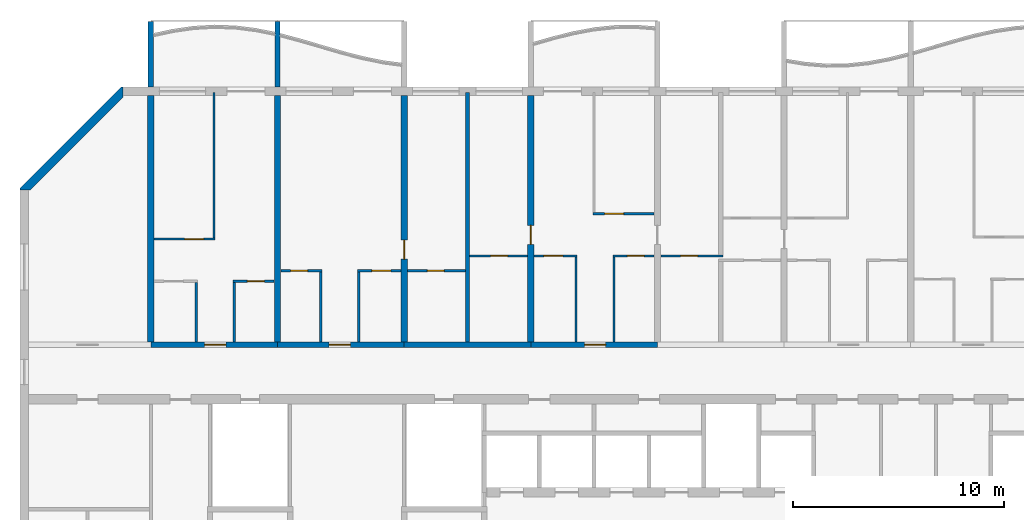
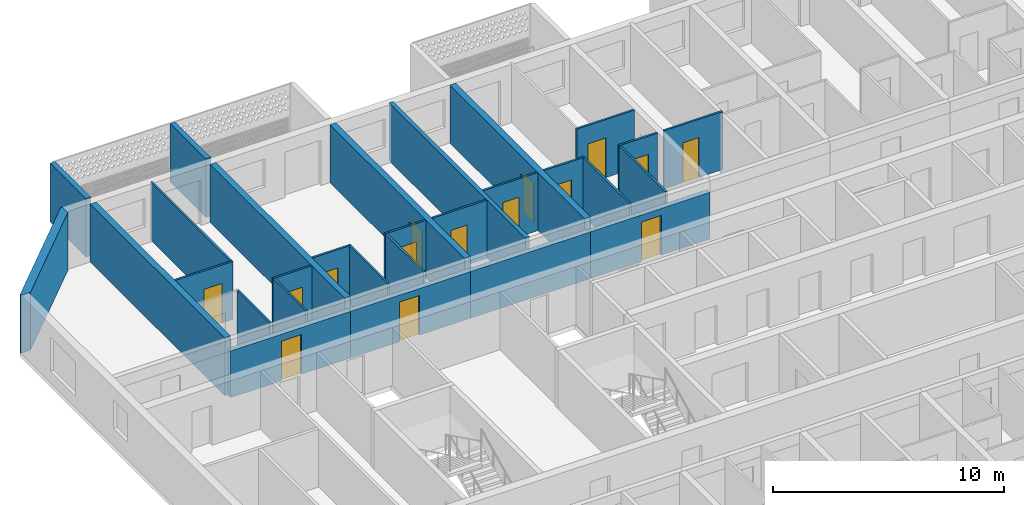
# One storey, part 8 of 31: 29 walls, 15 doors, 15 openings.
"""IFC4 building model written with IfcOpenShell, lengths in metres."""

from ifc_helpers import new_model, si_unit, direction, frame, frame_2d, origin, place, context, subcontext, project, spatial, polyline, rectangle, outline, extrude, source, transform, mapped, material, layer, layer_set, type_object, element, fill, save


model = new_model("IFC4")

# Units and contexts
model_context = context("Model", 3, precision=1e-05, world=origin(), true_north=direction((0.0, 1.0)))
body_context = subcontext(model_context, "Body", "Model", "MODEL_VIEW")
ifc_project = project(units=[si_unit("LENGTHUNIT", "METRE"), si_unit("AREAUNIT", "SQUARE_METRE"), si_unit("VOLUMEUNIT", "CUBIC_METRE"), si_unit("PLANEANGLEUNIT", "RADIAN"), si_unit("MASSUNIT", "GRAM", prefix="KILO")], contexts=[model_context])

# Site, building, storey
site_placement = place(None, origin())
site = spatial("IfcSite", under=ifc_project, at=site_placement, CompositionType="ELEMENT")
building_placement = place(site_placement, origin())
building = spatial("IfcBuilding", under=site, at=building_placement, Name="Poui Terraces", CompositionType="ELEMENT")
storey_placement = place(building_placement, frame((0.0, 0.0, 142.199951171875)))
storey = spatial("IfcBuildingStorey", under=building, at=storey_placement, Name="L39", CompositionType="ELEMENT", Elevation=142.199951171875)

# Wall, opening, door
ifc_material_1 = material(Name="Concrete 65 MPa", Category="concrete")
ifc_layer_1 = layer(ifc_material_1, 0.25)
ifc_layer_set_1 = layer_set([ifc_layer_1], Name="Concrete 65 MPa")
wall_type_1 = type_object("IfcWallType", Name="CORRIDOR WALL 250 65MPa", PredefinedType="SHEAR", material=ifc_layer_set_1)
wall_1_placement = place(storey_placement, frame((18.0, 30.39990234375, 0.0), z_axis=(0.0, 0.0, 1.0), x_axis=(1.0, 0.0, 0.0)))
wall_1 = element("IfcWall", 1, at=wall_1_placement, inside=storey, type_object=wall_type_1, Name="CORRIDOR WALL LINE E BAY 2", PredefinedType="SHEAR", context=body_context, shape_type="SweptSolid", body=[
    extrude(rectangle(XDim=6.0, YDim=0.25, at=frame_2d((3.0, 0.0))), origin(), (0.0, 0.0, 1.0), 2.469970703125),
])
opening_1_placement = place(wall_1_placement, frame((2.550048828125, 0.0, 0.0)))
opening_1 = element("IfcOpeningElement", 2, at=opening_1_placement, cuts=wall_1, Name="Opening FD30S", PredefinedType="OPENING", context=body_context, shape_type="SweptSolid", body=[
    extrude(rectangle(XDim=1.0, YDim=2.10009765625, at=frame_2d((0.5, 1.050048828125))), frame((0.0, 0.135009765625, 0.0), z_axis=(0.0, -1.0, 0.0), x_axis=(1.0, 0.0, 0.0)), (0.0, 0.0, 1.0), 0.27001953125),
])
ifc_material_2 = material(Name="Steel fire door", Category="steel")
door_type_1 = type_object("IfcDoorType", Name="FLAT ENTRANCE DOOR 1000 X 2100", OperationType="NOTDEFINED", PredefinedType="DOOR", material=ifc_material_2)
door_1_placement = place(opening_1_placement, origin())
door_1 = element("IfcDoor", 3, at=door_1_placement, inside=storey, type_object=door_type_1, Name="FLAT ENTRANCE DOOR 035", OperationType="SINGLE_SWING_RIGHT", OverallHeight=2.10009765625, OverallWidth=1.0, PredefinedType="DOOR", context=body_context, shape_type="SweptSolid", body=[
    extrude(rectangle(XDim=1.0, YDim=2.10009765625, at=frame_2d((0.5, 1.050048828125))), frame((0.0, 0.02490234375, 0.0), z_axis=(0.0, -1.0, 0.0), x_axis=(1.0, 0.0, 0.0)), (0.0, 0.0, 1.0), 0.050048828125),
])
fill(opening_1, door_1)

wall_2_placement = place(storey_placement, frame((24.0, 30.39990234375, 0.0), z_axis=(0.0, 0.0, 1.0), x_axis=(1.0, 0.0, 0.0)))
wall_2 = element("IfcWall", 4, at=wall_2_placement, inside=storey, type_object=wall_type_1, Name="CORRIDOR WALL LINE E BAY 3", PredefinedType="SHEAR", context=body_context, shape_type="SweptSolid", body=[
    extrude(rectangle(XDim=6.0, YDim=0.25, at=frame_2d((3.0, 0.0))), origin(), (0.0, 0.0, 1.0), 2.469970703125),
])
opening_2_placement = place(wall_2_placement, frame((2.449951171875, 0.0, 0.0)))
opening_2 = element("IfcOpeningElement", 5, at=opening_2_placement, cuts=wall_2, Name="Opening FD30S", PredefinedType="OPENING", context=body_context, shape_type="SweptSolid", body=[
    extrude(rectangle(XDim=1.0, YDim=2.10009765625, at=frame_2d((0.5, 1.050048828125))), frame((0.0, 0.135009765625, 0.0), z_axis=(0.0, -1.0, 0.0), x_axis=(1.0, 0.0, 0.0)), (0.0, 0.0, 1.0), 0.27001953125),
])
door_2_placement = place(opening_2_placement, origin())
door_2 = element("IfcDoor", 6, at=door_2_placement, inside=storey, type_object=door_type_1, Name="FLAT ENTRANCE DOOR 039", OperationType="SINGLE_SWING_LEFT", OverallHeight=2.10009765625, OverallWidth=1.0, PredefinedType="DOOR", context=body_context, shape_type="SweptSolid", body=[
    extrude(rectangle(XDim=1.0, YDim=2.10009765625, at=frame_2d((0.5, 1.050048828125))), frame((0.0, 0.02490234375, 0.0), z_axis=(0.0, -1.0, 0.0), x_axis=(1.0, 0.0, 0.0)), (0.0, 0.0, 1.0), 0.050048828125),
])
fill(opening_2, door_2)

# Wall
wall_3_placement = place(storey_placement, frame((30.0, 30.39990234375, 0.0), z_axis=(0.0, 0.0, 1.0), x_axis=(1.0, 0.0, 0.0)))
element("IfcWall", 7, at=wall_3_placement, inside=storey, type_object=wall_type_1, Name="CORRIDOR WALL LINE E BAY 4", PredefinedType="SHEAR", context=body_context, shape_type="SweptSolid", body=[
    extrude(rectangle(XDim=6.0, YDim=0.25, at=frame_2d((3.0, 0.0))), origin(), (0.0, 0.0, 1.0), 2.469970703125),
])

# Wall, opening, door
wall_4_placement = place(storey_placement, frame((36.0, 30.39990234375, 0.0), z_axis=(0.0, 0.0, 1.0), x_axis=(1.0, 0.0, 0.0)))
wall_4 = element("IfcWall", 8, at=wall_4_placement, inside=storey, type_object=wall_type_1, Name="CORRIDOR WALL LINE E BAY 5", PredefinedType="SHEAR", context=body_context, shape_type="SweptSolid", body=[
    extrude(rectangle(XDim=6.0, YDim=0.25, at=frame_2d((3.0, 0.0))), origin(), (0.0, 0.0, 1.0), 2.469970703125),
])
opening_3_placement = place(wall_4_placement, frame((2.550048828125, 0.0, 0.0)))
opening_3 = element("IfcOpeningElement", 9, at=opening_3_placement, cuts=wall_4, Name="Opening FD30S", PredefinedType="OPENING", context=body_context, shape_type="SweptSolid", body=[
    extrude(rectangle(XDim=1.0, YDim=2.10009765625, at=frame_2d((0.5, 1.050048828125))), frame((0.0, 0.135009765625, 0.0), z_axis=(0.0, -1.0, 0.0), x_axis=(1.0, 0.0, 0.0)), (0.0, 0.0, 1.0), 0.27001953125),
])
door_3_placement = place(opening_3_placement, origin())
door_3 = element("IfcDoor", 10, at=door_3_placement, inside=storey, type_object=door_type_1, Name="FLAT ENTRANCE DOOR 046", OperationType="SINGLE_SWING_RIGHT", OverallHeight=2.10009765625, OverallWidth=1.0, PredefinedType="DOOR", context=body_context, shape_type="SweptSolid", body=[
    extrude(rectangle(XDim=1.0, YDim=2.10009765625, at=frame_2d((0.5, 1.050048828125))), frame((0.0, 0.02490234375, 0.0), z_axis=(0.0, -1.0, 0.0), x_axis=(1.0, 0.0, 0.0)), (0.0, 0.0, 1.0), 0.050048828125),
])
fill(opening_3, door_3)

# Walls
ifc_layer_2 = layer(ifc_material_1, 0.300048828125)
ifc_layer_set_2 = layer_set([ifc_layer_2], Name="Concrete 65 MPa")
wall_type_2 = type_object("IfcWallType", Name="CROSS WALL 300 65MPa", PredefinedType="SHEAR", material=ifc_layer_set_2)
for number, where, z_axis, x_axis, name in (
    (11, (18.0, 30.52490234375, 0.0), (0.0, 0.0, 1.0), (0.0, 1.0, 0.0), "CROSS WALL LINE 4 NORTH"),
    (12, (24.0, 30.52490234375, 0.0), (0.0, 0.0, 1.0), (0.0, 1.0, 0.0), "CROSS WALL LINE 5 NORTH"),
):
    element("IfcWall", number, at=place(storey_placement, frame(where, z_axis=z_axis, x_axis=x_axis)), inside=storey, type_object=wall_type_2, Name=name, PredefinedType="SHEAR", context=body_context, shape_type="SweptSolid", body=[
        extrude(rectangle(XDim=11.675048828125, YDim=0.300048828125, at=frame_2d((5.83740234375, 0.0))), origin(), (0.0, 0.0, 1.0), 3.070068359375),
    ])

# Wall, opening, door
wall_5_placement = place(storey_placement, frame((30.0, 30.52490234375, 0.0), z_axis=(0.0, 0.0, 1.0), x_axis=(0.0, 1.0, 0.0)))
wall_5 = element("IfcWall", 13, at=wall_5_placement, inside=storey, type_object=wall_type_2, Name="CROSS WALL LINE 6 NORTH", PredefinedType="SHEAR", context=body_context, shape_type="SweptSolid", body=[
    extrude(rectangle(XDim=11.675048828125, YDim=0.300048828125, at=frame_2d((5.83740234375, 0.0))), origin(), (0.0, 0.0, 1.0), 3.070068359375),
])
opening_4_placement = place(wall_5_placement, frame((3.925048828125, 0.0, 0.0)))
opening_4 = element("IfcOpeningElement", 14, at=opening_4_placement, cuts=wall_5, Name="Opening D90", PredefinedType="OPENING", context=body_context, shape_type="SweptSolid", body=[
    extrude(rectangle(XDim=0.89990234375, YDim=2.10009765625, at=frame_2d((0.449951171875, 1.050048828125))), frame((0.0, 0.16015625, 0.0), z_axis=(0.0, -1.0, 0.0), x_axis=(1.0, 0.0, 0.0)), (0.0, 0.0, 1.0), 0.320068359375),
])
ifc_material_3 = material(Name="Solid core timber door", Category="wood")
door_type_2 = type_object("IfcDoorType", Name="INTERNAL DOOR 900 X 2100", OperationType="NOTDEFINED", PredefinedType="DOOR", material=ifc_material_3)
door_4_placement = place(opening_4_placement, frame((0.89990234375, 0.0, 0.0), z_axis=(0.0, 0.0, 1.0), x_axis=(-1.0, 0.0, 0.0)))
door_4 = element("IfcDoor", 15, at=door_4_placement, inside=storey, type_object=door_type_2, Name="INTERNAL DOOR 041", OperationType="SINGLE_SWING_RIGHT", OverallHeight=2.10009765625, OverallWidth=0.89990234375, PredefinedType="DOOR", context=body_context, shape_type="SweptSolid", body=[
    extrude(rectangle(XDim=0.89990234375, YDim=2.10009765625, at=frame_2d((0.449951171875, 1.050048828125))), frame((0.0, 0.02490234375, 0.0), z_axis=(0.0, -1.0, 0.0), x_axis=(1.0, 0.0, 0.0)), (0.0, 0.0, 1.0), 0.050048828125),
])
fill(opening_4, door_4)

wall_6_placement = place(storey_placement, frame((36.0, 30.52490234375, 0.0), z_axis=(0.0, 0.0, 1.0), x_axis=(0.0, 1.0, 0.0)))
wall_6 = element("IfcWall", 16, at=wall_6_placement, inside=storey, type_object=wall_type_2, Name="CROSS WALL LINE 7 NORTH", PredefinedType="SHEAR", context=body_context, shape_type="SweptSolid", body=[
    extrude(rectangle(XDim=11.675048828125, YDim=0.300048828125, at=frame_2d((5.83740234375, 0.0))), origin(), (0.0, 0.0, 1.0), 3.070068359375),
])
opening_5_placement = place(wall_6_placement, frame((4.625, 0.0, 0.0)))
opening_5 = element("IfcOpeningElement", 17, at=opening_5_placement, cuts=wall_6, Name="Opening D90", PredefinedType="OPENING", context=body_context, shape_type="SweptSolid", body=[
    extrude(rectangle(XDim=0.89990234375, YDim=2.10009765625, at=frame_2d((0.449951171875, 1.050048828125))), frame((0.0, 0.16015625, 0.0), z_axis=(0.0, -1.0, 0.0), x_axis=(1.0, 0.0, 0.0)), (0.0, 0.0, 1.0), 0.320068359375),
])
door_5_placement = place(opening_5_placement, origin())
door_5 = element("IfcDoor", 18, at=door_5_placement, inside=storey, type_object=door_type_2, Name="INTERNAL DOOR 044", OperationType="SINGLE_SWING_LEFT", OverallHeight=2.10009765625, OverallWidth=0.89990234375, PredefinedType="DOOR", context=body_context, shape_type="SweptSolid", body=[
    extrude(rectangle(XDim=0.89990234375, YDim=2.10009765625, at=frame_2d((0.449951171875, 1.050048828125))), frame((0.0, 0.02490234375, 0.0), z_axis=(0.0, -1.0, 0.0), x_axis=(1.0, 0.0, 0.0)), (0.0, 0.0, 1.0), 0.050048828125),
])
fill(opening_5, door_5)

ifc_material_4 = material(Name="Plasterboard partition")
ifc_layer_3 = layer(ifc_material_4, 0.10009765625)
ifc_layer_set_3 = layer_set([ifc_layer_3], Name="Plasterboard partition")
wall_type_3 = type_object("IfcWallType", Name="FLAT PARTITION 100", PredefinedType="PARTITIONING", material=ifc_layer_set_3)
wall_7_placement = place(storey_placement, frame((21.89990234375, 33.39990234375, 0.0), z_axis=(0.0, 0.0, 1.0), x_axis=(1.0, 0.0, 0.0)))
wall_7 = element("IfcWall", 19, at=wall_7_placement, inside=storey, type_object=wall_type_3, Name="FLAT PARTITION 100", PredefinedType="PARTITIONING", context=body_context, shape_type="SweptSolid", body=[
    extrude(rectangle(XDim=1.940185546875, YDim=0.10009765625, at=frame_2d((0.97021484375, 0.0))), origin(), (0.0, 0.0, 1.0), 3.070068359375),
])
opening_6_placement = place(wall_7_placement, frame((0.675048828125, 0.0, 0.0)))
opening_6 = element("IfcOpeningElement", 20, at=opening_6_placement, cuts=wall_7, Name="Opening D80", PredefinedType="OPENING", context=body_context, shape_type="SweptSolid", body=[
    extrude(rectangle(XDim=0.800048828125, YDim=2.10009765625, at=frame_2d((0.39990234375, 1.050048828125))), frame((0.0, 0.06005859375, 0.0), z_axis=(0.0, -1.0, 0.0), x_axis=(1.0, 0.0, 0.0)), (0.0, 0.0, 1.0), 0.1201171875),
])
door_type_3 = type_object("IfcDoorType", Name="BATHROOM, LAUNDRY AND STORE DOOR 800 X 2100", OperationType="NOTDEFINED", PredefinedType="DOOR", material=ifc_material_3)
door_6_placement = place(opening_6_placement, frame((0.800048828125, 0.0, 0.0), z_axis=(0.0, 0.0, 1.0), x_axis=(-1.0, 0.0, 0.0)))
door_6 = element("IfcDoor", 21, at=door_6_placement, inside=storey, type_object=door_type_3, Name="BATHROOM, LAUNDRY AND STORE DOOR 036", OperationType="SINGLE_SWING_RIGHT", OverallHeight=2.10009765625, OverallWidth=0.800048828125, PredefinedType="DOOR", context=body_context, shape_type="SweptSolid", body=[
    extrude(rectangle(XDim=0.800048828125, YDim=2.10009765625, at=frame_2d((0.39990234375, 1.050048828125))), frame((0.0, 0.02490234375, 0.0), z_axis=(0.0, -1.0, 0.0), x_axis=(1.0, 0.0, 0.0)), (0.0, 0.0, 1.0), 0.050048828125),
])
fill(opening_6, door_6)

wall_8_placement = place(storey_placement, frame((24.159912109375, 33.89990234375, 0.0), z_axis=(0.0, 0.0, 1.0), x_axis=(1.0, 0.0, 0.0)))
wall_8 = element("IfcWall", 22, at=wall_8_placement, inside=storey, type_object=wall_type_3, Name="FLAT PARTITION 100", PredefinedType="PARTITIONING", context=body_context, shape_type="SweptSolid", body=[
    extrude(rectangle(XDim=1.940185546875, YDim=0.10009765625, at=frame_2d((0.97021484375, 0.0))), origin(), (0.0, 0.0, 1.0), 3.070068359375),
])
opening_7_placement = place(wall_8_placement, frame((0.465087890625, 0.0, 0.0)))
opening_7 = element("IfcOpeningElement", 23, at=opening_7_placement, cuts=wall_8, Name="Opening D80", PredefinedType="OPENING", context=body_context, shape_type="SweptSolid", body=[
    extrude(rectangle(XDim=0.800048828125, YDim=2.10009765625, at=frame_2d((0.39990234375, 1.050048828125))), frame((0.0, 0.06005859375, 0.0), z_axis=(0.0, -1.0, 0.0), x_axis=(1.0, 0.0, 0.0)), (0.0, 0.0, 1.0), 0.1201171875),
])
door_7_placement = place(opening_7_placement, frame((0.800048828125, 0.0, 0.0), z_axis=(0.0, 0.0, 1.0), x_axis=(-1.0, 0.0, 0.0)))
door_7 = element("IfcDoor", 24, at=door_7_placement, inside=storey, type_object=door_type_3, Name="BATHROOM, LAUNDRY AND STORE DOOR 038", OperationType="SINGLE_SWING_LEFT", OverallHeight=2.10009765625, OverallWidth=0.800048828125, PredefinedType="DOOR", context=body_context, shape_type="SweptSolid", body=[
    extrude(rectangle(XDim=0.800048828125, YDim=2.10009765625, at=frame_2d((0.39990234375, 1.050048828125))), frame((0.0, 0.02490234375, 0.0), z_axis=(0.0, -1.0, 0.0), x_axis=(1.0, 0.0, 0.0)), (0.0, 0.0, 1.0), 0.050048828125),
])
fill(opening_7, door_7)

wall_9_placement = place(storey_placement, frame((27.800048828125, 33.89990234375, 0.0), z_axis=(0.0, 0.0, 1.0), x_axis=(1.0, 0.0, 0.0)))
wall_9 = element("IfcWall", 25, at=wall_9_placement, inside=storey, type_object=wall_type_3, Name="FLAT PARTITION 100", PredefinedType="PARTITIONING", context=body_context, shape_type="SweptSolid", body=[
    extrude(rectangle(XDim=2.0400390625, YDim=0.10009765625, at=frame_2d((1.02001953125, 0.0))), origin(), (0.0, 0.0, 1.0), 3.070068359375),
])
opening_8_placement = place(wall_9_placement, frame((0.675048828125, 0.0, 0.0)))
opening_8 = element("IfcOpeningElement", 26, at=opening_8_placement, cuts=wall_9, Name="Opening D90", PredefinedType="OPENING", context=body_context, shape_type="SweptSolid", body=[
    extrude(rectangle(XDim=0.89990234375, YDim=2.10009765625, at=frame_2d((0.449951171875, 1.050048828125))), frame((0.0, 0.06005859375, 0.0), z_axis=(0.0, -1.0, 0.0), x_axis=(1.0, 0.0, 0.0)), (0.0, 0.0, 1.0), 0.1201171875),
])
door_8_placement = place(opening_8_placement, frame((0.89990234375, 0.0, 0.0), z_axis=(0.0, 0.0, 1.0), x_axis=(-1.0, 0.0, 0.0)))
door_8 = element("IfcDoor", 27, at=door_8_placement, inside=storey, type_object=door_type_2, Name="INTERNAL DOOR 040", OperationType="SINGLE_SWING_RIGHT", OverallHeight=2.10009765625, OverallWidth=0.89990234375, PredefinedType="DOOR", context=body_context, shape_type="SweptSolid", body=[
    extrude(rectangle(XDim=0.89990234375, YDim=2.10009765625, at=frame_2d((0.449951171875, 1.050048828125))), frame((0.0, 0.02490234375, 0.0), z_axis=(0.0, -1.0, 0.0), x_axis=(1.0, 0.0, 0.0)), (0.0, 0.0, 1.0), 0.050048828125),
])
fill(opening_8, door_8)

wall_10_placement = place(storey_placement, frame((30.159912109375, 33.89990234375, 0.0), z_axis=(0.0, 0.0, 1.0), x_axis=(1.0, 0.0, 0.0)))
wall_10 = element("IfcWall", 28, at=wall_10_placement, inside=storey, type_object=wall_type_3, Name="FLAT PARTITION 100", PredefinedType="PARTITIONING", context=body_context, shape_type="SweptSolid", body=[
    extrude(rectangle(XDim=2.739990234375, YDim=0.10009765625, at=frame_2d((1.3701171875, 0.0))), origin(), (0.0, 0.0, 1.0), 3.070068359375),
])
opening_9_placement = place(wall_10_placement, frame((0.93994140625, 0.0, 0.0)))
opening_9 = element("IfcOpeningElement", 29, at=opening_9_placement, cuts=wall_10, Name="Opening D80", PredefinedType="OPENING", context=body_context, shape_type="SweptSolid", body=[
    extrude(rectangle(XDim=0.800048828125, YDim=2.10009765625, at=frame_2d((0.39990234375, 1.050048828125))), frame((0.0, 0.06005859375, 0.0), z_axis=(0.0, -1.0, 0.0), x_axis=(1.0, 0.0, 0.0)), (0.0, 0.0, 1.0), 0.1201171875),
])
door_9_placement = place(opening_9_placement, frame((0.800048828125, 0.0, 0.0), z_axis=(0.0, 0.0, 1.0), x_axis=(-1.0, 0.0, 0.0)))
door_9 = element("IfcDoor", 30, at=door_9_placement, inside=storey, type_object=door_type_3, Name="BATHROOM, LAUNDRY AND STORE DOOR 037", OperationType="SINGLE_SWING_RIGHT", OverallHeight=2.10009765625, OverallWidth=0.800048828125, PredefinedType="DOOR", context=body_context, shape_type="SweptSolid", body=[
    extrude(rectangle(XDim=0.800048828125, YDim=2.10009765625, at=frame_2d((0.39990234375, 1.050048828125))), frame((0.0, 0.02490234375, 0.0), z_axis=(0.0, -1.0, 0.0), x_axis=(1.0, 0.0, 0.0)), (0.0, 0.0, 1.0), 0.050048828125),
])
fill(opening_9, door_9)

wall_11_placement = place(storey_placement, frame((33.10009765625, 34.60009765625, 0.0), z_axis=(0.0, 0.0, 1.0), x_axis=(1.0, 0.0, 0.0)))
wall_11 = element("IfcWall", 31, at=wall_11_placement, inside=storey, type_object=wall_type_3, Name="FLAT PARTITION 100", PredefinedType="PARTITIONING", context=body_context, shape_type="SweptSolid", body=[
    extrude(rectangle(XDim=2.739990234375, YDim=0.10009765625, at=frame_2d((1.3701171875, 0.0))), origin(), (0.0, 0.0, 1.0), 3.070068359375),
])
opening_10_placement = place(wall_11_placement, frame((1.0, 0.0, 0.0)))
opening_10 = element("IfcOpeningElement", 32, at=opening_10_placement, cuts=wall_11, Name="Opening D80", PredefinedType="OPENING", context=body_context, shape_type="SweptSolid", body=[
    extrude(rectangle(XDim=0.800048828125, YDim=2.10009765625, at=frame_2d((0.39990234375, 1.050048828125))), frame((0.0, 0.06005859375, 0.0), z_axis=(0.0, -1.0, 0.0), x_axis=(1.0, 0.0, 0.0)), (0.0, 0.0, 1.0), 0.1201171875),
])
door_10_placement = place(opening_10_placement, frame((0.800048828125, 0.0, 0.0), z_axis=(0.0, 0.0, 1.0), x_axis=(-1.0, 0.0, 0.0)))
door_10 = element("IfcDoor", 33, at=door_10_placement, inside=storey, type_object=door_type_3, Name="BATHROOM, LAUNDRY AND STORE DOOR 042", OperationType="SINGLE_SWING_LEFT", OverallHeight=2.10009765625, OverallWidth=0.800048828125, PredefinedType="DOOR", context=body_context, shape_type="SweptSolid", body=[
    extrude(rectangle(XDim=0.800048828125, YDim=2.10009765625, at=frame_2d((0.39990234375, 1.050048828125))), frame((0.0, 0.02490234375, 0.0), z_axis=(0.0, -1.0, 0.0), x_axis=(1.0, 0.0, 0.0)), (0.0, 0.0, 1.0), 0.050048828125),
])
fill(opening_10, door_10)

wall_12_placement = place(storey_placement, frame((36.159912109375, 34.60009765625, 0.0), z_axis=(0.0, 0.0, 1.0), x_axis=(1.0, 0.0, 0.0)))
wall_12 = element("IfcWall", 34, at=wall_12_placement, inside=storey, type_object=wall_type_3, Name="FLAT PARTITION 100", PredefinedType="PARTITIONING", context=body_context, shape_type="SweptSolid", body=[
    extrude(rectangle(XDim=2.0400390625, YDim=0.10009765625, at=frame_2d((1.02001953125, 0.0))), origin(), (0.0, 0.0, 1.0), 3.070068359375),
])
opening_11_placement = place(wall_12_placement, frame((0.465087890625, 0.0, 0.0)))
opening_11 = element("IfcOpeningElement", 35, at=opening_11_placement, cuts=wall_12, Name="Opening D90", PredefinedType="OPENING", context=body_context, shape_type="SweptSolid", body=[
    extrude(rectangle(XDim=0.89990234375, YDim=2.10009765625, at=frame_2d((0.449951171875, 1.050048828125))), frame((0.0, 0.06005859375, 0.0), z_axis=(0.0, -1.0, 0.0), x_axis=(1.0, 0.0, 0.0)), (0.0, 0.0, 1.0), 0.1201171875),
])
door_11_placement = place(opening_11_placement, frame((0.89990234375, 0.0, 0.0), z_axis=(0.0, 0.0, 1.0), x_axis=(-1.0, 0.0, 0.0)))
door_11 = element("IfcDoor", 36, at=door_11_placement, inside=storey, type_object=door_type_2, Name="INTERNAL DOOR 045", OperationType="SINGLE_SWING_LEFT", OverallHeight=2.10009765625, OverallWidth=0.89990234375, PredefinedType="DOOR", context=body_context, shape_type="SweptSolid", body=[
    extrude(rectangle(XDim=0.89990234375, YDim=2.10009765625, at=frame_2d((0.449951171875, 1.050048828125))), frame((0.0, 0.02490234375, 0.0), z_axis=(0.0, -1.0, 0.0), x_axis=(1.0, 0.0, 0.0)), (0.0, 0.0, 1.0), 0.050048828125),
])
fill(opening_11, door_11)

wall_13_placement = place(storey_placement, frame((39.89990234375, 34.60009765625, 0.0), z_axis=(0.0, 0.0, 1.0), x_axis=(1.0, 0.0, 0.0)))
wall_13 = element("IfcWall", 37, at=wall_13_placement, inside=storey, type_object=wall_type_3, Name="FLAT PARTITION 100", PredefinedType="PARTITIONING", context=body_context, shape_type="SweptSolid", body=[
    extrude(rectangle(XDim=1.940185546875, YDim=0.10009765625, at=frame_2d((0.97021484375, 0.0))), origin(), (0.0, 0.0, 1.0), 3.070068359375),
])
opening_12_placement = place(wall_13_placement, frame((0.675048828125, 0.0, 0.0)))
opening_12 = element("IfcOpeningElement", 38, at=opening_12_placement, cuts=wall_13, Name="Opening D80", PredefinedType="OPENING", context=body_context, shape_type="SweptSolid", body=[
    extrude(rectangle(XDim=0.800048828125, YDim=2.10009765625, at=frame_2d((0.39990234375, 1.050048828125))), frame((0.0, 0.06005859375, 0.0), z_axis=(0.0, -1.0, 0.0), x_axis=(1.0, 0.0, 0.0)), (0.0, 0.0, 1.0), 0.1201171875),
])
door_12_placement = place(opening_12_placement, frame((0.800048828125, 0.0, 0.0), z_axis=(0.0, 0.0, 1.0), x_axis=(-1.0, 0.0, 0.0)))
door_12 = element("IfcDoor", 39, at=door_12_placement, inside=storey, type_object=door_type_3, Name="BATHROOM, LAUNDRY AND STORE DOOR 048", OperationType="SINGLE_SWING_RIGHT", OverallHeight=2.10009765625, OverallWidth=0.800048828125, PredefinedType="DOOR", context=body_context, shape_type="SweptSolid", body=[
    extrude(rectangle(XDim=0.800048828125, YDim=2.10009765625, at=frame_2d((0.39990234375, 1.050048828125))), frame((0.0, 0.02490234375, 0.0), z_axis=(0.0, -1.0, 0.0), x_axis=(1.0, 0.0, 0.0)), (0.0, 0.0, 1.0), 0.050048828125),
])
fill(opening_12, door_12)

wall_14_placement = place(storey_placement, frame((42.159912109375, 34.60009765625, 0.0), z_axis=(0.0, 0.0, 1.0), x_axis=(1.0, 0.0, 0.0)))
wall_14 = element("IfcWall", 40, at=wall_14_placement, inside=storey, type_object=wall_type_3, Name="FLAT PARTITION 100", PredefinedType="PARTITIONING", context=body_context, shape_type="SweptSolid", body=[
    extrude(rectangle(XDim=2.940185546875, YDim=0.10009765625, at=frame_2d((1.47021484375, 0.0))), origin(), (0.0, 0.0, 1.0), 3.070068359375),
])
opening_13_placement = place(wall_14_placement, frame((0.93994140625, 0.0, 0.0)))
opening_13 = element("IfcOpeningElement", 41, at=opening_13_placement, cuts=wall_14, Name="Opening D80", PredefinedType="OPENING", context=body_context, shape_type="SweptSolid", body=[
    extrude(rectangle(XDim=0.800048828125, YDim=2.10009765625, at=frame_2d((0.39990234375, 1.050048828125))), frame((0.0, 0.06005859375, 0.0), z_axis=(0.0, -1.0, 0.0), x_axis=(1.0, 0.0, 0.0)), (0.0, 0.0, 1.0), 0.1201171875),
])
door_13_placement = place(opening_13_placement, frame((0.800048828125, 0.0, 0.0), z_axis=(0.0, 0.0, 1.0), x_axis=(-1.0, 0.0, 0.0)))
door_13 = element("IfcDoor", 42, at=door_13_placement, inside=storey, type_object=door_type_3, Name="BATHROOM, LAUNDRY AND STORE DOOR 043", OperationType="SINGLE_SWING_LEFT", OverallHeight=2.10009765625, OverallWidth=0.800048828125, PredefinedType="DOOR", context=body_context, shape_type="SweptSolid", body=[
    extrude(rectangle(XDim=0.800048828125, YDim=2.10009765625, at=frame_2d((0.39990234375, 1.050048828125))), frame((0.0, 0.02490234375, 0.0), z_axis=(0.0, -1.0, 0.0), x_axis=(1.0, 0.0, 0.0)), (0.0, 0.0, 1.0), 0.050048828125),
])
fill(opening_13, door_13)

wall_15_placement = place(storey_placement, frame((18.159912109375, 35.39990234375, 0.0), z_axis=(0.0, 0.0, 1.0), x_axis=(1.0, 0.0, 0.0)))
wall_15 = element("IfcWall", 43, at=wall_15_placement, inside=storey, type_object=wall_type_3, Name="FLAT PARTITION 100", PredefinedType="PARTITIONING", context=body_context, shape_type="SweptSolid", body=[
    extrude(rectangle(XDim=2.89013671875, YDim=0.10009765625, at=frame_2d((1.445068359375, 0.0))), origin(), (0.0, 0.0, 1.0), 3.070068359375),
])
opening_14_placement = place(wall_15_placement, frame((1.43994140625, 0.0, 0.0)))
opening_14 = element("IfcOpeningElement", 44, at=opening_14_placement, cuts=wall_15, Name="Opening D90", PredefinedType="OPENING", context=body_context, shape_type="SweptSolid", body=[
    extrude(rectangle(XDim=0.89990234375, YDim=2.10009765625, at=frame_2d((0.449951171875, 1.050048828125))), frame((0.0, 0.06005859375, 0.0), z_axis=(0.0, -1.0, 0.0), x_axis=(1.0, 0.0, 0.0)), (0.0, 0.0, 1.0), 0.1201171875),
])
door_14_placement = place(opening_14_placement, frame((0.89990234375, 0.0, 0.0), z_axis=(0.0, 0.0, 1.0), x_axis=(-1.0, 0.0, 0.0)))
door_14 = element("IfcDoor", 45, at=door_14_placement, inside=storey, type_object=door_type_2, Name="INTERNAL DOOR 034", OperationType="SINGLE_SWING_RIGHT", OverallHeight=2.10009765625, OverallWidth=0.89990234375, PredefinedType="DOOR", context=body_context, shape_type="SweptSolid", body=[
    extrude(rectangle(XDim=0.89990234375, YDim=2.10009765625, at=frame_2d((0.449951171875, 1.050048828125))), frame((0.0, 0.02490234375, 0.0), z_axis=(0.0, -1.0, 0.0), x_axis=(1.0, 0.0, 0.0)), (0.0, 0.0, 1.0), 0.050048828125),
])
fill(opening_14, door_14)

wall_16_placement = place(storey_placement, frame((38.949951171875, 36.60009765625, 0.0), z_axis=(0.0, 0.0, 1.0), x_axis=(1.0, 0.0, 0.0)))
wall_16 = element("IfcWall", 46, at=wall_16_placement, inside=storey, type_object=wall_type_3, Name="FLAT PARTITION 100", PredefinedType="PARTITIONING", context=body_context, shape_type="SweptSolid", body=[
    extrude(rectangle(XDim=2.89013671875, YDim=0.10009765625, at=frame_2d((1.445068359375, 0.0))), origin(), (0.0, 0.0, 1.0), 3.070068359375),
])
opening_15_placement = place(wall_16_placement, frame((0.550048828125, 0.0, 0.0)))
opening_15 = element("IfcOpeningElement", 47, at=opening_15_placement, cuts=wall_16, Name="Opening D90", PredefinedType="OPENING", context=body_context, shape_type="SweptSolid", body=[
    extrude(rectangle(XDim=0.89990234375, YDim=2.10009765625, at=frame_2d((0.449951171875, 1.050048828125))), frame((0.0, 0.06005859375, 0.0), z_axis=(0.0, -1.0, 0.0), x_axis=(1.0, 0.0, 0.0)), (0.0, 0.0, 1.0), 0.1201171875),
])
door_15_placement = place(opening_15_placement, frame((0.89990234375, 0.0, 0.0), z_axis=(0.0, 0.0, 1.0), x_axis=(-1.0, 0.0, 0.0)))
door_15 = element("IfcDoor", 48, at=door_15_placement, inside=storey, type_object=door_type_2, Name="INTERNAL DOOR 047", OperationType="SINGLE_SWING_LEFT", OverallHeight=2.10009765625, OverallWidth=0.89990234375, PredefinedType="DOOR", context=body_context, shape_type="SweptSolid", body=[
    extrude(rectangle(XDim=0.89990234375, YDim=2.10009765625, at=frame_2d((0.449951171875, 1.050048828125))), frame((0.0, 0.02490234375, 0.0), z_axis=(0.0, -1.0, 0.0), x_axis=(1.0, 0.0, 0.0)), (0.0, 0.0, 1.0), 0.050048828125),
])
fill(opening_15, door_15)

# Walls
wall_17_placement = place(storey_placement, frame((20.14990234375, 30.534912109375, 0.0), z_axis=(0.0, 0.0, 1.0), x_axis=(0.0, 1.0, 0.0)))
element("IfcWall", 49, at=wall_17_placement, inside=storey, type_object=wall_type_3, Name="FLAT PARTITION 100", PredefinedType="PARTITIONING", context=body_context, shape_type="SweptSolid", body=[
    extrude(rectangle(XDim=2.815185546875, YDim=0.10009765625, at=frame_2d((1.40771484375, 0.0))), origin(), (0.0, 0.0, 1.0), 3.070068359375),
])
wall_18_placement = place(storey_placement, frame((21.0, 35.449951171875, 0.0), z_axis=(0.0, 0.0, 1.0), x_axis=(0.0, 1.0, 0.0)))
element("IfcWall", 50, at=wall_18_placement, inside=storey, type_object=wall_type_3, Name="FLAT PARTITION 100", PredefinedType="PARTITIONING", context=body_context, shape_type="SweptSolid", body=[
    extrude(rectangle(XDim=6.89013671875, YDim=0.10009765625, at=frame_2d((3.445068359375, 0.0))), origin(), (0.0, 0.0, 1.0), 3.070068359375),
])
wall_19_placement = place(storey_placement, frame((21.949951171875, 30.534912109375, 0.0), z_axis=(0.0, 0.0, 1.0), x_axis=(0.0, 1.0, 0.0)))
element("IfcWall", 51, at=wall_19_placement, inside=storey, type_object=wall_type_3, Name="FLAT PARTITION 100", PredefinedType="PARTITIONING", context=body_context, shape_type="SweptSolid", body=[
    extrude(rectangle(XDim=2.815185546875, YDim=0.10009765625, at=frame_2d((1.40771484375, 0.0))), origin(), (0.0, 0.0, 1.0), 3.070068359375),
])
for number, where, z_axis, x_axis, name in (
    (52, (26.050048828125, 30.534912109375, 0.0), (0.0, 0.0, 1.0), (0.0, 1.0, 0.0), "FLAT PARTITION 100"),
    (53, (27.85009765625, 30.534912109375, 0.0), (0.0, 0.0, 1.0), (0.0, 1.0, 0.0), "FLAT PARTITION 100"),
):
    element("IfcWall", number, at=place(storey_placement, frame(where, z_axis=z_axis, x_axis=x_axis)), inside=storey, type_object=wall_type_3, Name=name, PredefinedType="PARTITIONING", context=body_context, shape_type="SweptSolid", body=[
        extrude(rectangle(XDim=3.315185546875, YDim=0.10009765625, at=frame_2d((1.65771484375, 0.0))), origin(), (0.0, 0.0, 1.0), 3.070068359375),
    ])
for number, where, z_axis, x_axis, name in (
    (54, (38.14990234375, 30.534912109375, 0.0), (0.0, 0.0, 1.0), (0.0, 1.0, 0.0), "FLAT PARTITION 100"),
    (55, (39.949951171875, 30.534912109375, 0.0), (0.0, 0.0, 1.0), (0.0, 1.0, 0.0), "FLAT PARTITION 100"),
):
    element("IfcWall", number, at=place(storey_placement, frame(where, z_axis=z_axis, x_axis=x_axis)), inside=storey, type_object=wall_type_3, Name=name, PredefinedType="PARTITIONING", context=body_context, shape_type="SweptSolid", body=[
        extrude(rectangle(XDim=4.01513671875, YDim=0.10009765625, at=frame_2d((2.007568359375, 0.0))), origin(), (0.0, 0.0, 1.0), 3.070068359375),
    ])
ifc_material_5 = material(Name="Fire-rated masonry wall", Category="masonry")
ifc_layer_4 = layer(ifc_material_5, 0.199951171875)
ifc_layer_set_4 = layer_set([ifc_layer_4], Name="Fire-rated masonry wall")
wall_type_4 = type_object("IfcWallType", Name="FLAT PARTY WALL 200", PredefinedType="PARTITIONING", material=ifc_layer_set_4)
wall_20_placement = place(storey_placement, frame((33.0, 30.534912109375, 0.0), z_axis=(0.0, 0.0, 1.0), x_axis=(0.0, 1.0, 0.0)))
element("IfcWall", 56, at=wall_20_placement, inside=storey, type_object=wall_type_4, Name="FLAT PARTY WALL 200", PredefinedType="PARTITIONING", context=body_context, shape_type="SweptSolid", body=[
    extrude(rectangle(XDim=11.80517578125, YDim=0.199951171875, at=frame_2d((5.902587890625, 0.0))), origin(), (0.0, 0.0, 1.0), 3.070068359375),
])
ifc_material_6 = material(Name="Precast concrete 40 MPa", Category="concrete")
ifc_layer_5 = layer(ifc_material_6, 0.39990234375)
ifc_layer_set_5 = layer_set([ifc_layer_5], Name="Precast concrete 40 MPa")
wall_type_5 = type_object("IfcWallType", Name="TERRACOTTA CLAD CHAMFER WALL 400", PredefinedType="STANDARD", material=ifc_layer_set_5)
wall_21_placement = place(storey_placement, origin())
element("IfcWall", 57, at=wall_21_placement, inside=storey, type_object=wall_type_5, Name="CHAMFER WALL CH05", PredefinedType="STANDARD", context=body_context, shape_type="SweptSolid", body=[
    extrude(outline(polyline([(16.682861328125, 42.60009765625), (16.60009765625, 42.60009765625), (11.800048828125, 37.800048828125), (11.800048828125, 37.71728515625), (12.28271484375, 37.71728515625), (16.682861328125, 42.1171875), (16.682861328125, 42.60009765625)])), origin(), (0.0, 0.0, 1.0), 3.070068359375),
])
ifc_layer_6 = layer(ifc_material_6, 0.25)
ifc_layer_set_6 = layer_set([ifc_layer_6], Name="Precast concrete 40 MPa")
wall_type_6 = type_object("IfcWallType", Name="BALCONY FIN 250", PredefinedType="STANDARD", material=ifc_layer_set_6)
shared_shape = source(origin(), body_context, "Body", "SweptSolid", [
    extrude(outline(polyline([(0.0, 0.0), (0.25, 0.0), (0.25, 3.099853515625), (0.0, 3.099853515625), (0.0, 0.0)])), origin(), (0.0, 0.0, 1.0), 3.10009765625),
])
for number, where, name in (
    (58, (17.875, 42.60009765625, 0.0), "BALCONY FIN"),
    (59, (23.875, 42.60009765625, 0.0), "BALCONY FIN"),
):
    element("IfcWall", number, at=place(storey_placement, frame(where)), inside=storey, type_object=wall_type_6, Name=name, PredefinedType="STANDARD", context=body_context, shape_type="MappedRepresentation", body=[
        mapped(shared_shape, transform((0.0, 0.0, 0.0))),
    ])

save(model, "model.ifc")
